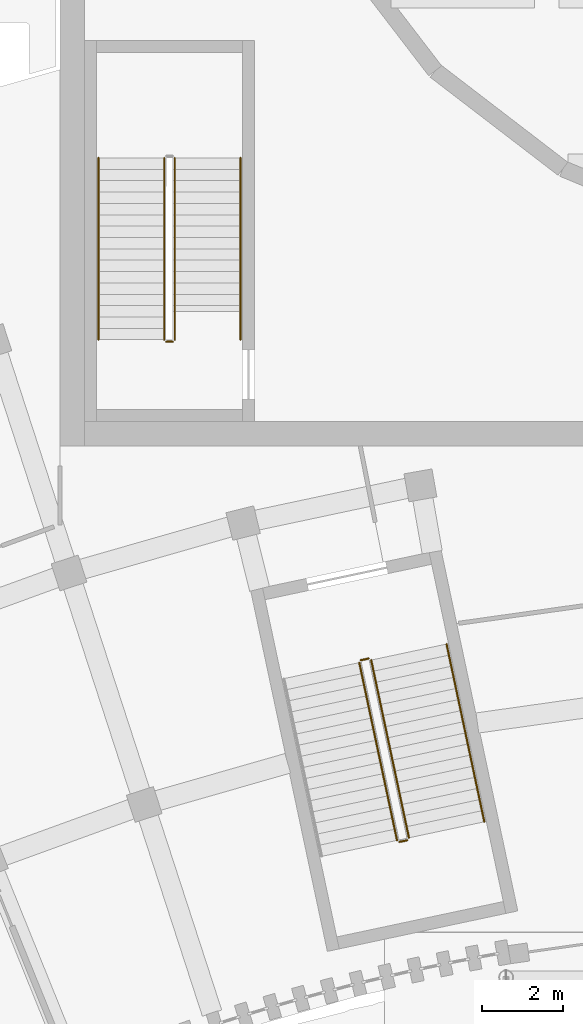
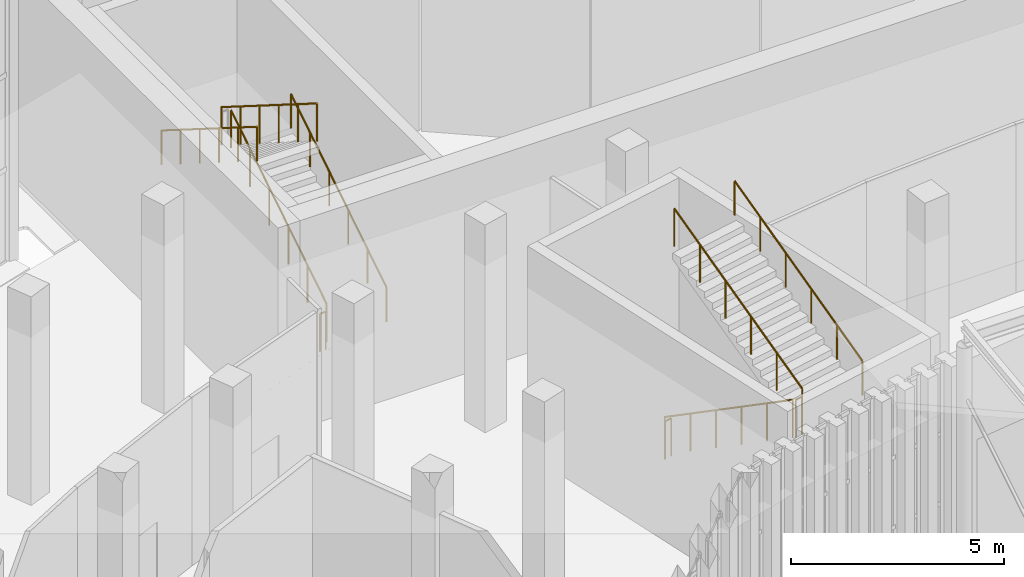
# One storey, part 123 of 155: 10 railings.
"""IFC4 building model written with IfcOpenShell, lengths in metres."""

from ifc_helpers import new_model, si_unit, direction, frame, origin, origin_2d, place, context, subcontext, project, spatial, circle, extrude, material, type_object, element, save


model = new_model("IFC4")

# Units and contexts
model_context = context("Model", 3, precision=1e-05, world=origin(), true_north=direction((0.0, 1.0)))
body_context = subcontext(model_context, "Body", "Model", "MODEL_VIEW")
ifc_project = project(units=[si_unit("LENGTHUNIT", "METRE"), si_unit("AREAUNIT", "SQUARE_METRE"), si_unit("VOLUMEUNIT", "CUBIC_METRE"), si_unit("PLANEANGLEUNIT", "RADIAN"), si_unit("MASSUNIT", "GRAM", prefix="KILO")], contexts=[model_context])

# Site, building, storey
site_placement = place(None, origin())
site = spatial("IfcSite", under=ifc_project, at=site_placement, CompositionType="ELEMENT")
building_placement = place(site_placement, origin())
building = spatial("IfcBuilding", under=site, at=building_placement, Name="Lunette Opera House", CompositionType="ELEMENT")
storey_placement = place(building_placement, origin())
storey = spatial("IfcBuildingStorey", under=building, at=storey_placement, Name="L00", CompositionType="ELEMENT", Elevation=0.0)

# Railings
ifc_material_1 = material(Name="Steel S355", Category="steel")
railing_type_1 = type_object("IfcRailingType", Name="STAIR GUARD 1100", PredefinedType="GUARDRAIL", material=ifc_material_1)
railing_1_placement = place(storey_placement, frame((83.37890625, 58.658203125, 0.176513671875)))
element("IfcRailing", 1, at=railing_1_placement, inside=storey, type_object=railing_type_1, Name="L00 GS1 stair guard 1", PredefinedType="GUARDRAIL", context=body_context, shape_type="SweptSolid", body=[
    extrude(circle(Radius=0.02392578125, at=origin_2d()), frame((0.0, 0.0, 1.076171875), z_axis=(0.175884897919, -0.827511935191, 0.533187115186), x_axis=(0.97814957038, 0.207902424146, 0.0)), (0.0, 0.0, 1.0), 5.29541015625),
    extrude(circle(Radius=0.02099609375, at=origin_2d()), origin(), (0.0, 0.0, 1.0), 1.052001953125),
    extrude(circle(Radius=0.02099609375, at=origin_2d()), frame((0.186279296875, -0.87646484375, 0.564697265625)), (0.0, 0.0, 1.0), 1.052001953125),
    extrude(circle(Radius=0.02099609375, at=origin_2d()), frame((0.37255859375, -1.7529296875, 1.12939453125)), (0.0, 0.0, 1.0), 1.052001953125),
    extrude(circle(Radius=0.02099609375, at=origin_2d()), frame((0.558837890625, -2.629150390625, 1.694091796875)), (0.0, 0.0, 1.0), 1.052001953125),
    extrude(circle(Radius=0.02099609375, at=origin_2d()), frame((0.7451171875, -3.505615234375, 2.2587890625)), (0.0, 0.0, 1.0), 1.052001953125),
    extrude(circle(Radius=0.02099609375, at=origin_2d()), frame((0.931396484375, -4.382080078125, 2.823486328125)), (0.0, 0.0, 1.0), 1.052001953125),
])
railing_2_placement = place(storey_placement, frame((84.36962890625, 54.237548828125, 3.0)))
element("IfcRailing", 2, at=railing_2_placement, inside=storey, type_object=railing_type_1, Name="L00 GS1 stair guard 2", PredefinedType="GUARDRAIL", context=body_context, shape_type="SweptSolid", body=[
    extrude(circle(Radius=0.02392578125, at=origin_2d()), frame((0.0, 0.0, 1.076171875), z_axis=(0.978211583308, 0.207610448392, 0.0), x_axis=(-0.207610448392, 0.978211583308, 0.0)), (0.0, 0.0, 1.0), 0.199951171875),
    extrude(circle(Radius=0.02099609375, at=origin_2d()), origin(), (0.0, 0.0, 1.0), 1.052001953125),
    extrude(circle(Radius=0.02099609375, at=origin_2d()), frame((0.195556640625, 0.04150390625, 0.0)), (0.0, 0.0, 1.0), 1.052001953125),
])
railing_3_placement = place(storey_placement, frame((84.603759765625, 54.33837890625, 3.176513671875)))
element("IfcRailing", 3, at=railing_3_placement, inside=storey, type_object=railing_type_1, Name="L00 GS1 stair guard 3", PredefinedType="GUARDRAIL", context=body_context, shape_type="SweptSolid", body=[
    extrude(circle(Radius=0.02392578125, at=origin_2d()), frame((0.0, 0.0, 1.076171875), z_axis=(-0.175884897919, 0.827511935191, 0.533187115186), x_axis=(-0.97814957038, -0.207902424146, 0.0)), (0.0, 0.0, 1.0), 5.29541015625),
    extrude(circle(Radius=0.02099609375, at=origin_2d()), origin(), (0.0, 0.0, 1.0), 1.052001953125),
    extrude(circle(Radius=0.02099609375, at=origin_2d()), frame((-0.186279296875, 0.87646484375, 0.564697265625)), (0.0, 0.0, 1.0), 1.052001953125),
    extrude(circle(Radius=0.02099609375, at=origin_2d()), frame((-0.37255859375, 1.7529296875, 1.12939453125)), (0.0, 0.0, 1.0), 1.052001953125),
    extrude(circle(Radius=0.02099609375, at=origin_2d()), frame((-0.558837890625, 2.629150390625, 1.694091796875)), (0.0, 0.0, 1.0), 1.052001953125),
    extrude(circle(Radius=0.02099609375, at=origin_2d()), frame((-0.7451171875, 3.505615234375, 2.2587890625)), (0.0, 0.0, 1.0), 1.052001953125),
    extrude(circle(Radius=0.02099609375, at=origin_2d()), frame((-0.931396484375, 4.382080078125, 2.823486328125)), (0.0, 0.0, 1.0), 1.052001953125),
])
railing_4_placement = place(storey_placement, frame((83.41748046875, 58.717529296875, 0.0)))
element("IfcRailing", 4, at=railing_4_placement, inside=storey, type_object=railing_type_1, Name="L00 GS1 stair guard 4", PredefinedType="GUARDRAIL", context=body_context, shape_type="SweptSolid", body=[
    extrude(circle(Radius=0.02392578125, at=origin_2d()), frame((0.0, 0.0, 1.076171875), z_axis=(0.978211583308, 0.207610448392, 0.0), x_axis=(-0.207610448392, 0.978211583308, 0.0)), (0.0, 0.0, 1.0), 0.199951171875),
    extrude(circle(Radius=0.02099609375, at=origin_2d()), origin(), (0.0, 0.0, 1.0), 1.052001953125),
    extrude(circle(Radius=0.02099609375, at=origin_2d()), frame((0.195556640625, 0.04150390625, 0.0)), (0.0, 0.0, 1.0), 1.052001953125),
])
railing_5_placement = place(storey_placement, frame((78.830078125, 66.6201171875, 0.176513671875)))
element("IfcRailing", 5, at=railing_5_placement, inside=storey, type_object=railing_type_1, Name="L00 ST7 stair guard 1", PredefinedType="GUARDRAIL", context=body_context, shape_type="SweptSolid", body=[
    extrude(circle(Radius=0.02392578125, at=origin_2d()), frame((0.0, 0.0, 1.076171875), z_axis=(0.0, 0.845997938375, 0.533186166611), x_axis=(-1.0, 0.0, 0.0)), (0.0, 0.0, 1.0), 5.29541015625),
    extrude(circle(Radius=0.02099609375, at=origin_2d()), origin(), (0.0, 0.0, 1.0), 1.052001953125),
    extrude(circle(Radius=0.02099609375, at=origin_2d()), frame((0.0, 0.89599609375, 0.564697265625)), (0.0, 0.0, 1.0), 1.052001953125),
    extrude(circle(Radius=0.02099609375, at=origin_2d()), frame((0.0, 1.7919921875, 1.12939453125)), (0.0, 0.0, 1.0), 1.052001953125),
    extrude(circle(Radius=0.02099609375, at=origin_2d()), frame((0.0, 2.68798828125, 1.694091796875)), (0.0, 0.0, 1.0), 1.052001953125),
    extrude(circle(Radius=0.02099609375, at=origin_2d()), frame((0.0, 3.583984375, 2.2587890625)), (0.0, 0.0, 1.0), 1.052001953125),
    extrude(circle(Radius=0.02099609375, at=origin_2d()), frame((0.0, 4.47998046875, 2.823486328125)), (0.0, 0.0, 1.0), 1.052001953125),
])
railing_6_placement = place(storey_placement, frame((78.570068359375, 71.10009765625, 3.176513671875)))
element("IfcRailing", 6, at=railing_6_placement, inside=storey, type_object=railing_type_1, Name="L00 ST7 stair guard 3", PredefinedType="GUARDRAIL", context=body_context, shape_type="SweptSolid", body=[
    extrude(circle(Radius=0.02392578125, at=origin_2d()), frame((0.0, 0.0, 1.076171875), z_axis=(0.0, -0.845997938375, 0.533186166611), x_axis=(1.0, 0.0, 0.0)), (0.0, 0.0, 1.0), 5.29541015625),
    extrude(circle(Radius=0.02099609375, at=origin_2d()), origin(), (0.0, 0.0, 1.0), 1.052001953125),
    extrude(circle(Radius=0.02099609375, at=origin_2d()), frame((0.0, -0.89599609375, 0.564697265625)), (0.0, 0.0, 1.0), 1.052001953125),
    extrude(circle(Radius=0.02099609375, at=origin_2d()), frame((0.0, -1.7919921875, 1.12939453125)), (0.0, 0.0, 1.0), 1.052001953125),
    extrude(circle(Radius=0.02099609375, at=origin_2d()), frame((0.0, -2.68798828125, 1.694091796875)), (0.0, 0.0, 1.0), 1.052001953125),
    extrude(circle(Radius=0.02099609375, at=origin_2d()), frame((0.0, -3.583984375, 2.2587890625)), (0.0, 0.0, 1.0), 1.052001953125),
    extrude(circle(Radius=0.02099609375, at=origin_2d()), frame((0.0, -4.47998046875, 2.823486328125)), (0.0, 0.0, 1.0), 1.052001953125),
])
railing_7_placement = place(storey_placement, frame((78.780029296875, 66.570068359375, 0.0)))
element("IfcRailing", 7, at=railing_7_placement, inside=storey, type_object=railing_type_1, Name="L00 ST7 stair guard 4", PredefinedType="GUARDRAIL", context=body_context, shape_type="SweptSolid", body=[
    extrude(circle(Radius=0.02392578125, at=origin_2d()), frame((0.0, 0.0, 1.076171875), z_axis=(-1.0, 0.0, 0.0), x_axis=(0.0, -1.0, 0.0)), (0.0, 0.0, 1.0), 0.159912109375),
    extrude(circle(Radius=0.02099609375, at=origin_2d()), origin(), (0.0, 0.0, 1.0), 1.052001953125),
    extrude(circle(Radius=0.02099609375, at=origin_2d()), frame((-0.159912109375, 0.0, 0.0)), (0.0, 0.0, 1.0), 1.052001953125),
])
ifc_material_2 = material(Name="Steel S355", Category="steel")
railing_type_2 = type_object("IfcRailingType", Name="STAIR HANDRAIL 1000", PredefinedType="HANDRAIL", material=ifc_material_2)
railing_8_placement = place(storey_placement, frame((86.462158203125, 54.7333984375, 3.176513671875)))
element("IfcRailing", 8, at=railing_8_placement, inside=storey, type_object=railing_type_2, Name="L00 GS1 stair handrail 2", PredefinedType="HANDRAIL", context=body_context, shape_type="SweptSolid", body=[
    extrude(circle(Radius=0.02392578125, at=origin_2d()), frame((0.0, 0.0, 0.97607421875), z_axis=(-0.175884897919, 0.827511935191, 0.533187115186), x_axis=(-0.97814957038, -0.207902424146, 0.0)), (0.0, 0.0, 1.0), 5.29541015625),
    extrude(circle(Radius=0.02099609375, at=origin_2d()), origin(), (0.0, 0.0, 1.0), 0.951904296875),
    extrude(circle(Radius=0.02099609375, at=origin_2d()), frame((-0.186279296875, 0.87646484375, 0.564697265625)), (0.0, 0.0, 1.0), 0.951904296875),
    extrude(circle(Radius=0.02099609375, at=origin_2d()), frame((-0.37255859375, 1.7529296875, 1.12939453125)), (0.0, 0.0, 1.0), 0.951904296875),
    extrude(circle(Radius=0.02099609375, at=origin_2d()), frame((-0.558837890625, 2.629150390625, 1.694091796875)), (0.0, 0.0, 1.0), 0.951904296875),
    extrude(circle(Radius=0.02099609375, at=origin_2d()), frame((-0.7451171875, 3.505615234375, 2.2587890625)), (0.0, 0.0, 1.0), 0.951904296875),
    extrude(circle(Radius=0.02099609375, at=origin_2d()), frame((-0.931396484375, 4.382080078125, 2.823486328125)), (0.0, 0.0, 1.0), 0.951904296875),
])
railing_9_placement = place(storey_placement, frame((80.449951171875, 66.6201171875, 0.176513671875)))
element("IfcRailing", 9, at=railing_9_placement, inside=storey, type_object=railing_type_2, Name="L00 ST7 stair handrail 1", PredefinedType="HANDRAIL", context=body_context, shape_type="SweptSolid", body=[
    extrude(circle(Radius=0.02392578125, at=origin_2d()), frame((0.0, 0.0, 0.97607421875), z_axis=(0.0, 0.845997938375, 0.533186166611), x_axis=(-1.0, 0.0, 0.0)), (0.0, 0.0, 1.0), 5.29541015625),
    extrude(circle(Radius=0.02099609375, at=origin_2d()), origin(), (0.0, 0.0, 1.0), 0.951904296875),
    extrude(circle(Radius=0.02099609375, at=origin_2d()), frame((0.0, 0.89599609375, 0.564697265625)), (0.0, 0.0, 1.0), 0.951904296875),
    extrude(circle(Radius=0.02099609375, at=origin_2d()), frame((0.0, 1.7919921875, 1.12939453125)), (0.0, 0.0, 1.0), 0.951904296875),
    extrude(circle(Radius=0.02099609375, at=origin_2d()), frame((0.0, 2.68798828125, 1.694091796875)), (0.0, 0.0, 1.0), 0.951904296875),
    extrude(circle(Radius=0.02099609375, at=origin_2d()), frame((0.0, 3.583984375, 2.2587890625)), (0.0, 0.0, 1.0), 0.951904296875),
    extrude(circle(Radius=0.02099609375, at=origin_2d()), frame((0.0, 4.47998046875, 2.823486328125)), (0.0, 0.0, 1.0), 0.951904296875),
])
railing_10_placement = place(storey_placement, frame((76.949951171875, 71.10009765625, 3.176513671875)))
element("IfcRailing", 10, at=railing_10_placement, inside=storey, type_object=railing_type_2, Name="L00 ST7 stair handrail 2", PredefinedType="HANDRAIL", context=body_context, shape_type="SweptSolid", body=[
    extrude(circle(Radius=0.02392578125, at=origin_2d()), frame((0.0, 0.0, 0.97607421875), z_axis=(0.0, -0.845997938375, 0.533186166611), x_axis=(1.0, 0.0, 0.0)), (0.0, 0.0, 1.0), 5.29541015625),
    extrude(circle(Radius=0.02099609375, at=origin_2d()), origin(), (0.0, 0.0, 1.0), 0.951904296875),
    extrude(circle(Radius=0.02099609375, at=origin_2d()), frame((0.0, -0.89599609375, 0.564697265625)), (0.0, 0.0, 1.0), 0.951904296875),
    extrude(circle(Radius=0.02099609375, at=origin_2d()), frame((0.0, -1.7919921875, 1.12939453125)), (0.0, 0.0, 1.0), 0.951904296875),
    extrude(circle(Radius=0.02099609375, at=origin_2d()), frame((0.0, -2.68798828125, 1.694091796875)), (0.0, 0.0, 1.0), 0.951904296875),
    extrude(circle(Radius=0.02099609375, at=origin_2d()), frame((0.0, -3.583984375, 2.2587890625)), (0.0, 0.0, 1.0), 0.951904296875),
    extrude(circle(Radius=0.02099609375, at=origin_2d()), frame((0.0, -4.47998046875, 2.823486328125)), (0.0, 0.0, 1.0), 0.951904296875),
])

save(model, "model.ifc")
